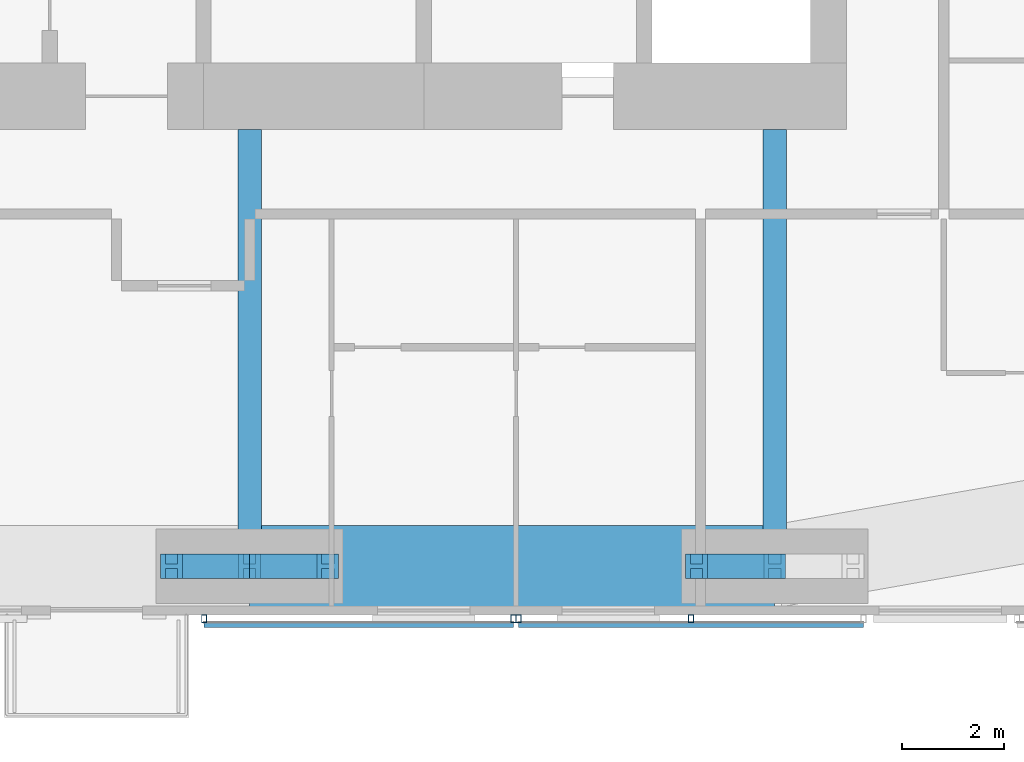
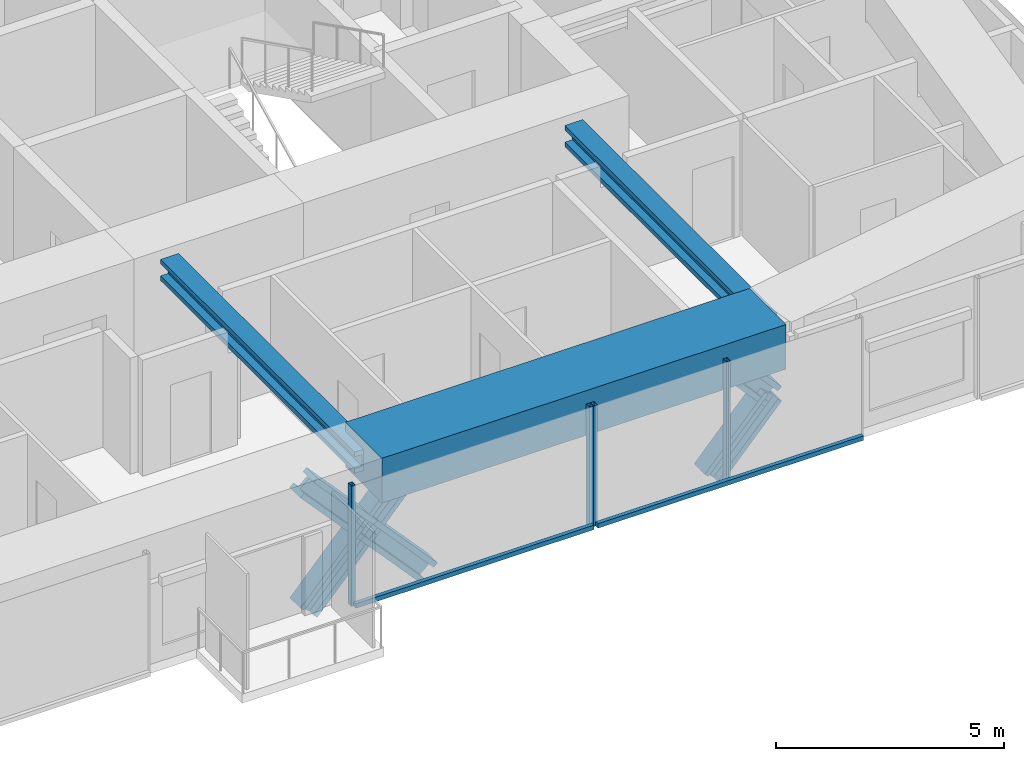
# One storey, part 4 of 23: 12 members, 3 beams, 2 elements without a shape of their own.
"""IFC4 building model written with IfcOpenShell, lengths in metres."""

import ifcopenshell
import ifcopenshell.guid

model = None  # the IFC model being written
_history = None  # IfcOwnerHistory: only IFC2X3 demands one
_inside = {}  # id of a spatial element -> (the spatial element, [elements in it])
_under = {}  # id of a project, library or spatial element -> (it, [spatial elements below it])
_declared = {}  # id of a project -> (the project, [libraries it declares])
_typed = {}  # id of a type object -> (the type object, [elements of that type])
_made_of = {}  # id of a material, layer set ... -> (it, [elements and type objects made of it])


def new_model(schema):
    """Start an empty IFC model of exactly this schema.

    Asked for "IFC4X3", IfcOpenShell would pick the latest addendum, in which some entities
    have other attributes; the version numbers below select the first issue.
    IFC2X3 requires an IfcOwnerHistory on every rooted entity: one is made here for all.
    """
    global model, _history
    if schema == "IFC4X3":
        model = ifcopenshell.file(schema_version=(4, 3, 0, 0))
    else:
        model = ifcopenshell.file(schema=schema)
    _inside.clear()
    _under.clear()
    _declared.clear()
    _typed.clear()
    _made_of.clear()
    _history = None
    if model.schema == "IFC2X3":
        org = make("IfcOrganization", Name="unknown")
        user = make(
            "IfcPersonAndOrganization",
            ThePerson=make("IfcPerson", FamilyName="unknown"),
            TheOrganization=org,
        )
        app = make(
            "IfcApplication",
            ApplicationDeveloper=org,
            Version="unknown",
            ApplicationFullName="unknown",
            ApplicationIdentifier="unknown",
        )
        _history = make(
            "IfcOwnerHistory",
            OwningUser=user,
            OwningApplication=app,
            ChangeAction="ADDED",
            CreationDate=0,
        )
    return model


def make(cls, **values):
    """One entity of the class cls with the attributes given. An attribute that is None is left unset."""
    return model.create_entity(
        cls, **{name: value for name, value in values.items() if value is not None}
    )


def rooted(cls, **values):
    """An entity with a GlobalId (a new one), such as an element, a storey or a relation."""
    return make(cls, GlobalId=ifcopenshell.guid.new(), OwnerHistory=_history, **values)


def si_unit(unit_type, name, prefix=None):
    """IfcSIUnit, for example si_unit("LENGTHUNIT", "METRE", prefix="MILLI")."""
    return make("IfcSIUnit", UnitType=unit_type, Prefix=prefix, Name=name)


def assignment(units):
    """IfcUnitAssignment: the units of a project."""
    return None if units is None else make("IfcUnitAssignment", Units=units)


def point(xyz):
    """IfcCartesianPoint."""
    return None if xyz is None else make("IfcCartesianPoint", Coordinates=xyz)


def direction(xyz):
    """IfcDirection."""
    return None if xyz is None else make("IfcDirection", DirectionRatios=xyz)


def frame(location, z_axis=None, x_axis=None):
    """IfcAxis2Placement3D, a coordinate frame: its origin and axes. An axis left out is left unset."""
    return make(
        "IfcAxis2Placement3D",
        Location=point(location),
        Axis=direction(z_axis),
        RefDirection=direction(x_axis),
    )


def frame_2d(location, x_axis=None):
    """IfcAxis2Placement2D, a coordinate frame in the plane: its origin and x axis."""
    return make(
        "IfcAxis2Placement2D", Location=point(location), RefDirection=direction(x_axis)
    )


def origin():
    """The frame at (0, 0, 0) with its axes left unset."""
    return frame((0.0, 0.0, 0.0))


def origin_2d():
    """The frame at (0, 0) in the plane with its x axis left unset."""
    return frame_2d((0.0, 0.0))


def place(relative_to, where):
    """IfcLocalPlacement: puts the frame where relative to a parent placement (None: the world)."""
    return make(
        "IfcLocalPlacement", PlacementRelTo=relative_to, RelativePlacement=where
    )


def context(
    kind, dimensions, precision=None, world=None, true_north=None, identifier=None
):
    """IfcGeometricRepresentationContext, for example the 3D "Model" context."""
    return make(
        "IfcGeometricRepresentationContext",
        ContextIdentifier=identifier,
        ContextType=kind,
        CoordinateSpaceDimension=dimensions,
        Precision=precision,
        WorldCoordinateSystem=world,
        TrueNorth=true_north,
    )


def subcontext(parent, identifier, kind, view, scale=None):
    """IfcGeometricRepresentationSubContext, for example "Body" below "Model"."""
    return make(
        "IfcGeometricRepresentationSubContext",
        ContextIdentifier=identifier,
        ContextType=kind,
        ParentContext=parent,
        TargetScale=scale,
        TargetView=view,
    )


def project(units=None, contexts=None):
    """IfcProject with its units and contexts."""
    return rooted(
        "IfcProject",
        Name="project",
        RepresentationContexts=contexts,
        UnitsInContext=assignment(units),
    )


def spatial(cls, under=None, at=None, **own):
    """A site, building, storey or space (cls), placed at a placement, below another one or the project."""
    s = rooted(cls, ObjectPlacement=at, **own)
    if under is not None:
        _under.setdefault(under.id(), (under, []))[1].append(s)
    return s


def profile(cls, at=None, kind="AREA", **sizes):
    """A parametric profile (cls). Its sizes go by their IFC names, for example OverallWidth=200.0."""
    return make(cls, ProfileType=kind, Position=at, **sizes)


def rectangle(**sizes):
    """IfcRectangleProfileDef."""
    return profile("IfcRectangleProfileDef", **sizes)


def hollow_rectangle(**sizes):
    """IfcRectangleHollowProfileDef."""
    return profile("IfcRectangleHollowProfileDef", **sizes)


def i_section(**sizes):
    """IfcIShapeProfileDef."""
    return profile("IfcIShapeProfileDef", **sizes)


def extrude(swept, where, along, depth):
    """IfcExtrudedAreaSolid: the profile swept, set in the frame where, extruded along a direction by depth."""
    return make(
        "IfcExtrudedAreaSolid",
        SweptArea=swept,
        Position=where,
        ExtrudedDirection=direction(along),
        Depth=depth,
    )


def shape(context_of_items, identifier, shape_type, items):
    """IfcShapeRepresentation: the items that make up one representation, for example the "Body"."""
    return make(
        "IfcShapeRepresentation",
        ContextOfItems=context_of_items,
        RepresentationIdentifier=identifier,
        RepresentationType=shape_type,
        Items=items,
    )


def material(Name=None, Category=None):
    """IfcMaterial."""
    return make("IfcMaterial", Name=Name, Category=Category)


def material_profile(
    of_material, cross_section, Name=None, Category=None, Priority=None
):
    """IfcMaterialProfile: a cross section and its material."""
    return make(
        "IfcMaterialProfile",
        Name=Name,
        Material=of_material,
        Profile=cross_section,
        Priority=Priority,
        Category=Category,
    )


def profile_set(profiles, Name=None, composite=None):
    """IfcMaterialProfileSet."""
    return make(
        "IfcMaterialProfileSet",
        Name=Name,
        MaterialProfiles=profiles,
        CompositeProfile=composite,
    )


def made_of(thing, what):
    """Note that an element or type object is made of a material, layer set ...; save() writes the relation."""
    if what is not None:
        _made_of.setdefault(what.id(), (what, []))[1].append(thing)
    return thing


def type_object(cls, material=None, **own):
    """A type object (cls), such as IfcWallType, which elements share."""
    return made_of(rooted(cls, **own), material)


def element(
    cls,
    number,
    at=None,
    inside=None,
    cuts=None,
    type_object=None,
    material=None,
    context=None,
    identifier="Body",
    shape_type=None,
    held_by="IfcProductDefinitionShape",
    body=None,
    shapes=None,
    **own,
):
    """One element of the class cls, such as IfcWall. Its Tag is "e" and its number.

    at: its placement. inside: the storey or other place that contains it. cuts: it is an
    opening in that element (IfcRelVoidsElement). A single representation is given by context,
    identifier, shape_type and body (its items); several are given by shapes. held_by: the class
    of the entity that holds the representations. save() writes the other relations.
    """
    e = rooted(cls, Tag="e%d" % number, ObjectPlacement=at, **own)
    if body is not None:
        shapes = [shape(context, identifier, shape_type, body)]
    if shapes is not None:
        e.Representation = make(held_by, Representations=shapes)
    if inside is not None:
        _inside.setdefault(inside.id(), (inside, []))[1].append(e)
    if cuts is not None:
        rooted(
            "IfcRelVoidsElement", RelatingBuildingElement=cuts, RelatedOpeningElement=e
        )
    if type_object is not None:
        _typed.setdefault(type_object.id(), (type_object, []))[1].append(e)
    return made_of(e, material)


def aggregate(whole, parts):
    """IfcRelAggregates: a whole, such as a stair, and the parts it consists of."""
    return rooted("IfcRelAggregates", RelatingObject=whole, RelatedObjects=parts)


def save(model, path):
    """Write the relations noted so far, then the file.

    IfcRelAggregates (storeys below a building ...), IfcRelContainedInSpatialStructure (elements
    in a storey), IfcRelDefinesByType, IfcRelAssociatesMaterial and IfcRelDeclares: one each for
    every whole, place, type object, material and project.
    """
    for whole, parts in _under.values():
        aggregate(whole, parts)
    for where, things in _inside.values():
        rooted(
            "IfcRelContainedInSpatialStructure",
            RelatedElements=things,
            RelatingStructure=where,
        )
    for kind, things in _typed.values():
        rooted("IfcRelDefinesByType", RelatedObjects=things, RelatingType=kind)
    for what, things in _made_of.values():
        rooted("IfcRelAssociatesMaterial", RelatedObjects=things, RelatingMaterial=what)
    for by, libraries in _declared.values():
        rooted("IfcRelDeclares", RelatingContext=by, RelatedDefinitions=libraries)
    model.write(path)


model = new_model("IFC4")

# Units and contexts
model_context = context("Model", 3, precision=1e-05, world=origin(), true_north=direction((0.0, 1.0)))
body_context = subcontext(model_context, "Body", "Model", "MODEL_VIEW")
ifc_project = project(units=[si_unit("LENGTHUNIT", "METRE"), si_unit("AREAUNIT", "SQUARE_METRE"), si_unit("VOLUMEUNIT", "CUBIC_METRE"), si_unit("PLANEANGLEUNIT", "RADIAN"), si_unit("MASSUNIT", "GRAM", prefix="KILO")], contexts=[model_context])

# Site, building, storey
site_placement = place(None, origin())
site = spatial("IfcSite", under=ifc_project, at=site_placement, CompositionType="ELEMENT")
building_placement = place(site_placement, origin())
building = spatial("IfcBuilding", under=site, at=building_placement, Name="Jalousie Tower", CompositionType="ELEMENT")
storey_placement = place(building_placement, frame((0.0, 0.0, 194.550048828125)))
storey = spatial("IfcBuildingStorey", under=building, at=storey_placement, Name="L53", CompositionType="ELEMENT", Elevation=194.550048828125)

# Beams
ifc_material_1 = material(Name="Steel ASTM A992 Grade 50", Category="steel")
ifc_material_profile_1 = material_profile(ifc_material_1, i_section(OverallWidth=0.45458984375, OverallDepth=0.569091796875, WebThickness=0.077880859375, FlangeThickness=0.124755859375, at=origin_2d()), Name="W14X730")
ifc_profile_set_1 = profile_set([ifc_material_profile_1], Name="Steel ASTM A992 Grade 50")
beam_type_1 = type_object("IfcBeamType", Name="LEAN COLLECTOR W14X730", PredefinedType="BEAM", material=ifc_profile_set_1)
for number, where, z_axis, x_axis, name in (
    (1, (32.5, 0.949951171875, 2.825439453125), (0.0, 1.0, 0.0), (-1.0, 0.0, 0.0), "Lean collector under L54"),
    (2, (42.75, 0.949951171875, 2.825439453125), (0.0, 1.0, 0.0), (-1.0, 0.0, 0.0), "Lean collector under L54"),
):
    element("IfcBeam", number, at=place(storey_placement, frame(where, z_axis=z_axis, x_axis=x_axis)), inside=storey, type_object=beam_type_1, Name=name, PredefinedType="BEAM", context=body_context, shape_type="SweptSolid", body=[
        extrude(i_section(OverallWidth=0.45458984375, OverallDepth=0.569091796875, WebThickness=0.077880859375, FlangeThickness=0.124755859375, at=origin_2d()), origin(), (0.0, 0.0, 1.0), 8.525146484375),
    ])

# Members
ifc_material_2 = material(Name="Steel ASTM A992 Grade 50", Category="steel")
ifc_material_profile_2 = material_profile(ifc_material_2, i_section(OverallWidth=0.472412109375, OverallDepth=0.5791015625, WebThickness=0.094970703125, FlangeThickness=0.1298828125, at=origin_2d()), Name="W14X808")
ifc_profile_set_2 = profile_set([ifc_material_profile_2], Name="Steel ASTM A992 Grade 50")
member_type_1 = type_object("IfcMemberType", Name="PERIMETER BRACE W14X808", PredefinedType="BRACE", material=ifc_profile_set_2)
for number, where, z_axis, x_axis, name in (
    (3, (30.97509765625, 0.949951171875, -0.60009765625), (0.673187629365, 0.0, 0.739471713908), (0.0, 1.0, 0.0), "Perimeter brace 03 L53 part 1"),
    (4, (32.5, 0.949951171875, 1.074951171875), (0.673187629365, 0.0, 0.739471713908), (0.0, 1.0, 0.0), "Perimeter brace 03 L53 part 2"),
    (5, (34.02490234375, 0.949951171875, -0.60009765625), (-0.673187629365, 0.0, 0.739471713908), (0.0, -1.0, 0.0), "Perimeter brace 03 L53 part 3"),
    (6, (32.5, 0.949951171875, 1.074951171875), (-0.673187629365, 0.0, 0.739471713908), (0.0, -1.0, 0.0), "Perimeter brace 03 L53 part 4"),
    (7, (41.22509765625, 0.949951171875, -0.60009765625), (0.673187629365, 0.0, 0.739471713908), (0.0, 1.0, 0.0), "Perimeter brace 04 L53 part 1"),
    (8, (42.75, 0.949951171875, 1.074951171875), (-0.673187629365, 0.0, 0.739471713908), (0.0, -1.0, 0.0), "Perimeter brace 04 L53 part 4"),
):
    element("IfcMember", number, at=place(storey_placement, frame(where, z_axis=z_axis, x_axis=x_axis)), inside=storey, type_object=member_type_1, Name=name, PredefinedType="BRACE", context=body_context, shape_type="SweptSolid", body=[
        extrude(i_section(OverallWidth=0.472412109375, OverallDepth=0.5791015625, WebThickness=0.094970703125, FlangeThickness=0.1298828125, at=origin_2d()), origin(), (0.0, 0.0, 1.0), 2.26513671875),
    ])

# Beam
ifc_material_3 = material(Name="Concrete f'c 40 MPa", Category="concrete")
ifc_material_profile_3 = material_profile(ifc_material_3, rectangle(XDim=1.60009765625, YDim=1.199951171875, at=origin_2d()), Name="RC 1600x1200")
ifc_profile_set_3 = profile_set([ifc_material_profile_3], Name="Concrete f'c 40 MPa")
beam_type_2 = type_object("IfcBeamType", Name="RC BEAM 1600x1200", PredefinedType="BEAM", material=ifc_profile_set_3)
beam_placement = place(storey_placement, frame((32.5, 0.949951171875, 2.75), z_axis=(1.0, 0.0, 0.0), x_axis=(0.0, 1.0, 0.0)))
element("IfcBeam", 9, at=beam_placement, inside=storey, type_object=beam_type_2, Name="Edge band beam 03-04 under L54", PredefinedType="BEAM", context=body_context, shape_type="SweptSolid", body=[
    extrude(rectangle(XDim=1.60009765625, YDim=1.199951171875, at=origin_2d()), origin(), (0.0, 0.0, 1.0), 10.25),
])

# Curtain wall, members
ifc_material_4 = material(Name="Perforated aluminium sheet", Category="aluminium")
curtain_wall_type = type_object("IfcCurtainWallType", Name="SOLAR SCREEN SS-1", PredefinedType="USERDEFINED", material=ifc_material_4)
curtain_wall_1_placement = place(storey_placement, origin())
curtain_wall_1 = element("IfcCurtainWall", 10, at=curtain_wall_1_placement, inside=storey, type_object=curtain_wall_type, Name="Solar screen L53", ObjectType="SOLAR SCREEN SS-1", PredefinedType="USERDEFINED")
ifc_material_5 = material(Name="Steel ASTM A500 Grade C", Category="steel")
ifc_material_profile_4 = material_profile(ifc_material_5, hollow_rectangle(XDim=0.1015625, YDim=0.15234375, WallThickness=0.00634765625, at=origin_2d()), Name="HSS6X4X1/4")
ifc_profile_set_4 = profile_set([ifc_material_profile_4], Name="Steel ASTM A500 Grade C")
member_type_2 = type_object("IfcMemberType", Name="SOLAR SCREEN SS-1 MULLION", PredefinedType="MULLION", material=ifc_profile_set_4)
member_1_placement = place(storey_placement, frame((31.612548828125, -0.0712890625, -0.1201171875), z_axis=(0.0, 0.0, 1.0), x_axis=(1.0, 0.0, 0.0)))
member_1 = element("IfcMember", 11, at=member_1_placement, type_object=member_type_2, Name="SS1 post 1", PredefinedType="MULLION", context=body_context, shape_type="SweptSolid", body=[
    extrude(hollow_rectangle(XDim=0.1015625, YDim=0.15234375, WallThickness=0.00634765625, at=origin_2d()), origin(), (0.0, 0.0, 1.0), 3.22998046875),
])
member_2_placement = place(storey_placement, frame((37.64990234375, -0.0712890625, -0.1201171875), z_axis=(0.0, 0.0, 1.0), x_axis=(1.0, 0.0, 0.0)))
member_2 = element("IfcMember", 12, at=member_2_placement, type_object=member_type_2, Name="SS1 post 2", PredefinedType="MULLION", context=body_context, shape_type="SweptSolid", body=[
    extrude(hollow_rectangle(XDim=0.1015625, YDim=0.15234375, WallThickness=0.00634765625, at=origin_2d()), origin(), (0.0, 0.0, 1.0), 3.22998046875),
])

curtain_wall_2_placement = place(storey_placement, origin())
curtain_wall_2 = element("IfcCurtainWall", 13, at=curtain_wall_2_placement, inside=storey, type_object=curtain_wall_type, Name="Solar screen L53", ObjectType="SOLAR SCREEN SS-1", PredefinedType="USERDEFINED")
member_3_placement = place(storey_placement, frame((37.75, -0.0712890625, -0.1201171875), z_axis=(0.0, 0.0, 1.0), x_axis=(1.0, 0.0, 0.0)))
member_3 = element("IfcMember", 14, at=member_3_placement, type_object=member_type_2, Name="SS1 post 1", PredefinedType="MULLION", context=body_context, shape_type="SweptSolid", body=[
    extrude(hollow_rectangle(XDim=0.1015625, YDim=0.15234375, WallThickness=0.00634765625, at=origin_2d()), origin(), (0.0, 0.0, 1.0), 3.22998046875),
])
member_4_placement = place(storey_placement, frame((41.11572265625, -0.0712890625, -0.1201171875), z_axis=(0.0, 0.0, 1.0), x_axis=(1.0, 0.0, 0.0)))
member_4 = element("IfcMember", 15, at=member_4_placement, type_object=member_type_2, Name="SS1 post 2", PredefinedType="MULLION", context=body_context, shape_type="SweptSolid", body=[
    extrude(hollow_rectangle(XDim=0.1015625, YDim=0.15234375, WallThickness=0.00634765625, at=origin_2d()), origin(), (0.0, 0.0, 1.0), 3.22998046875),
])

# Member
ifc_material_6 = material(Name="Extruded aluminium screen rail", Category="aluminium")
ifc_material_profile_5 = material_profile(ifc_material_6, rectangle(XDim=0.1015625, YDim=0.1201171875, at=origin_2d()), Name="RAIL 102x120")
ifc_profile_set_5 = profile_set([ifc_material_profile_5], Name="Extruded aluminium screen rail")
member_type_3 = type_object("IfcMemberType", Name="SOLAR SCREEN SS-1 TRANSOM", PredefinedType="USERDEFINED", material=ifc_profile_set_5)
member_5_placement = place(storey_placement, frame((31.612548828125, -0.1982421875, -0.06005859375), z_axis=(1.0, 0.0, 0.0), x_axis=(0.0, 1.0, 0.0)))
member_5 = element("IfcMember", 16, at=member_5_placement, type_object=member_type_3, Name="SS1 rail", ObjectType="TRANSOM", PredefinedType="USERDEFINED", context=body_context, shape_type="SweptSolid", body=[
    extrude(rectangle(XDim=0.1015625, YDim=0.1201171875, at=origin_2d()), origin(), (0.0, 0.0, 1.0), 6.037353515625),
])

aggregate(curtain_wall_1, [member_1, member_2, member_5])

member_6_placement = place(storey_placement, frame((37.75, -0.1982421875, -0.06005859375), z_axis=(1.0, 0.0, 0.0), x_axis=(0.0, 1.0, 0.0)))
member_6 = element("IfcMember", 17, at=member_6_placement, type_object=member_type_3, Name="SS1 rail", ObjectType="TRANSOM", PredefinedType="USERDEFINED", context=body_context, shape_type="SweptSolid", body=[
    extrude(rectangle(XDim=0.1015625, YDim=0.1201171875, at=origin_2d()), origin(), (0.0, 0.0, 1.0), 6.731201171875),
])

aggregate(curtain_wall_2, [member_3, member_4, member_6])

save(model, "model.ifc")
